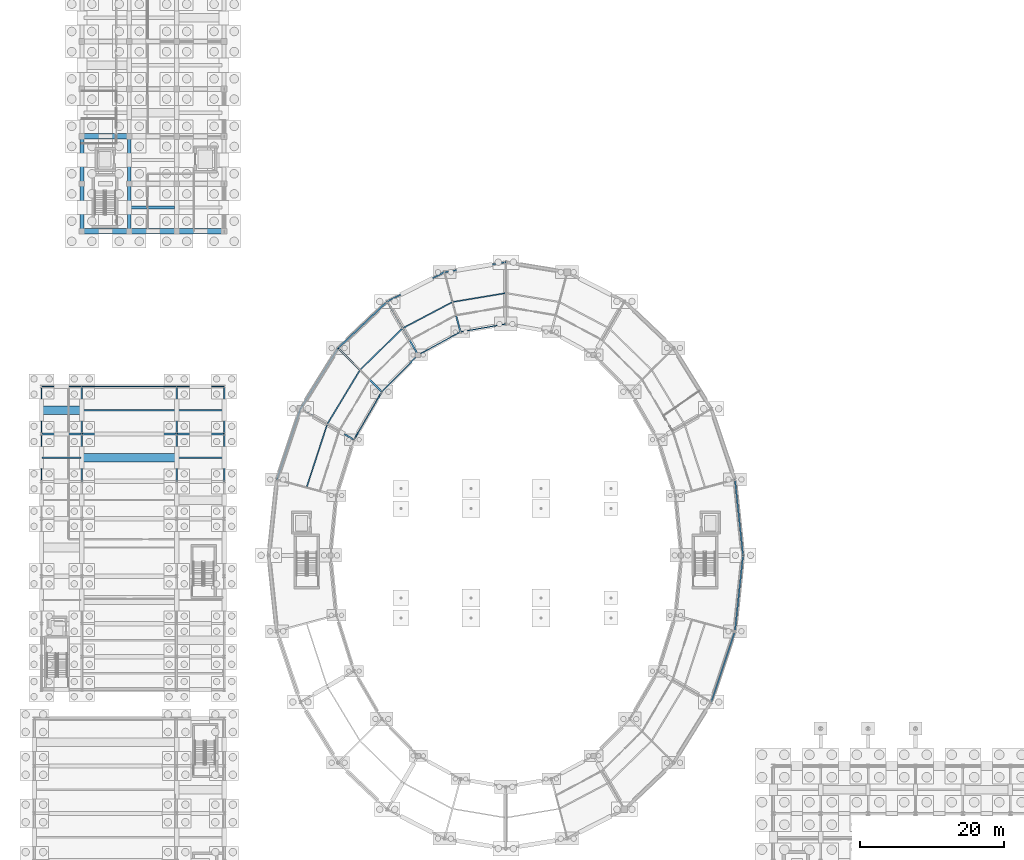
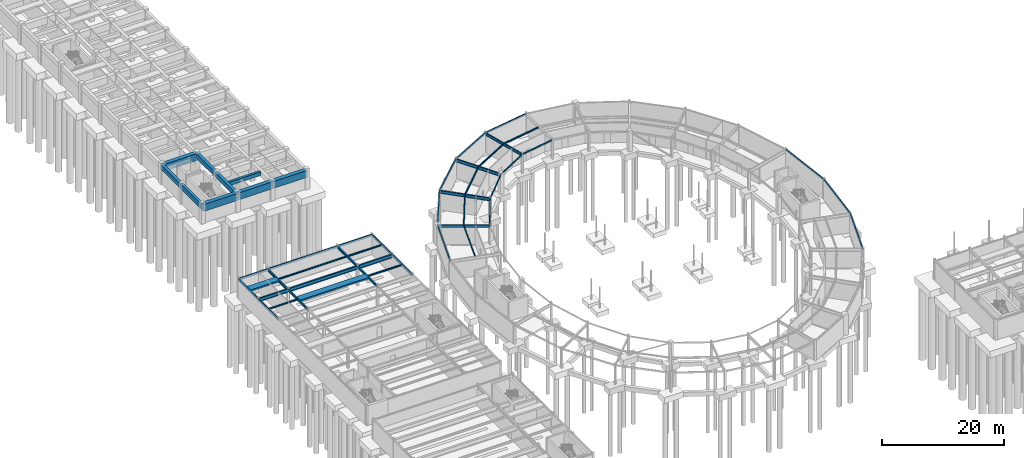
# One storey, part 26 of 58: 50 beams, 1 member.
"""IFC4 building model written with IfcOpenShell, lengths in metres."""

from ifc_helpers import new_model, si_unit, direction, frame, origin, origin_2d, place, context, subcontext, project, spatial, rectangle, hollow_rectangle, hollow_circle, i_section, extrude, material, material_profile, profile_set, type_object, element, save


model = new_model("IFC4")

# Units and contexts
model_context = context("Model", 3, precision=1e-05, world=origin(), true_north=direction((0.0, 1.0)))
body_context = subcontext(model_context, "Body", "Model", "MODEL_VIEW")
ifc_project = project(units=[si_unit("LENGTHUNIT", "METRE"), si_unit("AREAUNIT", "SQUARE_METRE"), si_unit("VOLUMEUNIT", "CUBIC_METRE"), si_unit("PLANEANGLEUNIT", "RADIAN"), si_unit("MASSUNIT", "GRAM", prefix="KILO")], contexts=[model_context])

# Site, building, storey
site_placement = place(None, origin())
site = spatial("IfcSite", under=ifc_project, at=site_placement, CompositionType="ELEMENT")
building_placement = place(site_placement, origin())
building = spatial("IfcBuilding", under=site, at=building_placement, Name="Karori Crest Natural Sciences Institute", CompositionType="ELEMENT")
storey_placement = place(building_placement, frame((0.0, 0.0, -4.199951171875)))
storey = spatial("IfcBuildingStorey", under=building, at=storey_placement, Name="B1", CompositionType="ELEMENT", Elevation=-4.199951171875)

# Beams
ifc_material_1 = material(Name="Structural steel AS/NZS 3679.1 Grade 350", Category="steel")
ifc_material_profile_1 = material_profile(ifc_material_1, i_section(OverallWidth=0.27490234375, OverallDepth=0.699951171875, WebThickness=0.010009765625, FlangeThickness=0.02001953125, FilletRadius=0.013916015625, at=origin_2d()), Name="700WB150")
ifc_profile_set_1 = profile_set([ifc_material_profile_1], Name="Structural steel AS/NZS 3679.1 Grade 350")
beam_type_1 = type_object("IfcBeamType", Name="BT-03", PredefinedType="BEAM", material=ifc_profile_set_1)
beam_1_placement = place(storey_placement, frame((1.800048828125, 66.800048828125, 3.570068359375), z_axis=(1.0, 0.0, 0.0), x_axis=(0.0, 1.0, 0.0)))
element("IfcBeam", 1, at=beam_1_placement, inside=storey, type_object=beam_type_1, Name="Beam B-0888", PredefinedType="BEAM", context=body_context, shape_type="SweptSolid", body=[
    extrude(i_section(OverallWidth=0.27490234375, OverallDepth=0.699951171875, WebThickness=0.010009765625, FlangeThickness=0.02001953125, FilletRadius=0.013916015625, at=origin_2d()), origin(), (0.0, 0.0, 1.0), 5.599853515625),
])
beam_2_placement = place(storey_placement, frame((7.39990234375, 66.800048828125, 3.570068359375), z_axis=(1.0, 0.0, 0.0), x_axis=(0.0, 1.0, 0.0)))
element("IfcBeam", 2, at=beam_2_placement, inside=storey, type_object=beam_type_1, Name="Beam B-0889", PredefinedType="BEAM", context=body_context, shape_type="SweptSolid", body=[
    extrude(i_section(OverallWidth=0.27490234375, OverallDepth=0.699951171875, WebThickness=0.010009765625, FlangeThickness=0.02001953125, FilletRadius=0.013916015625, at=origin_2d()), origin(), (0.0, 0.0, 1.0), 13.2001953125),
])
beam_3_placement = place(storey_placement, frame((20.60009765625, 66.800048828125, 3.570068359375), z_axis=(1.0, 0.0, 0.0), x_axis=(0.0, 1.0, 0.0)))
element("IfcBeam", 3, at=beam_3_placement, inside=storey, type_object=beam_type_1, Name="Beam B-0890", PredefinedType="BEAM", context=body_context, shape_type="SweptSolid", body=[
    extrude(i_section(OverallWidth=0.27490234375, OverallDepth=0.699951171875, WebThickness=0.010009765625, FlangeThickness=0.02001953125, FilletRadius=0.013916015625, at=origin_2d()), origin(), (0.0, 0.0, 1.0), 6.599853515625),
])
ifc_material_profile_2 = material_profile(ifc_material_1, i_section(OverallWidth=0.22900390625, OverallDepth=0.612060546875, WebThickness=0.011962890625, FlangeThickness=0.01953125, FilletRadius=0.013916015625, at=origin_2d()), Name="610UB125")
ifc_profile_set_2 = profile_set([ifc_material_profile_2], Name="Structural steel AS/NZS 3679.1 Grade 350")
beam_type_2 = type_object("IfcBeamType", Name="BT-04", PredefinedType="BEAM", material=ifc_profile_set_2)
beam_4_placement = place(storey_placement, frame((54.199951171875, 77.785888671875, 3.634033203125), z_axis=(-0.499995216735, 0.866028165386, 0.0), x_axis=(-0.866028165386, -0.499995216735, 0.0)))
element("IfcBeam", 4, at=beam_4_placement, inside=storey, type_object=beam_type_2, Name="Beam B-0033", PredefinedType="BEAM", context=body_context, shape_type="SweptSolid", body=[
    extrude(i_section(OverallWidth=0.22900390625, OverallDepth=0.612060546875, WebThickness=0.011962890625, FlangeThickness=0.01953125, FilletRadius=0.013916015625, at=origin_2d()), origin(), (0.0, 0.0, 1.0), 8.60009765625),
])
ifc_material_profile_3 = material_profile(ifc_material_1, i_section(OverallWidth=0.208984375, OverallDepth=0.532958984375, WebThickness=0.01025390625, FlangeThickness=0.015625, FilletRadius=0.013916015625, at=origin_2d()), Name="530UB92.4")
ifc_profile_set_3 = profile_set([ifc_material_profile_3], Name="Structural steel AS/NZS 3679.1 Grade 350")
beam_type_3 = type_object("IfcBeamType", Name="BT-05", PredefinedType="BEAM", material=ifc_profile_set_3)
beam_5_placement = place(storey_placement, frame((60.084716796875, 81.002685546875, 3.67333984375), z_axis=(-0.258812709002, 0.96592752402, 0.0), x_axis=(-0.96592752402, -0.258812709002, 0.0)))
element("IfcBeam", 5, at=beam_5_placement, inside=storey, type_object=beam_type_3, Name="Beam B-0029", PredefinedType="BEAM", context=body_context, shape_type="SweptSolid", body=[
    extrude(i_section(OverallWidth=0.208984375, OverallDepth=0.532958984375, WebThickness=0.01025390625, FlangeThickness=0.015625, FilletRadius=0.013916015625, at=origin_2d()), origin(), (0.0, 0.0, 1.0), 8.60009765625),
])
beam_6_placement = place(storey_placement, frame((45.26904296875, 66.0, 3.67333984375), z_axis=(-0.866021068297, 0.500007509209, 0.0), x_axis=(-0.500007509209, -0.866021068297, 0.0)))
element("IfcBeam", 6, at=beam_6_placement, inside=storey, type_object=beam_type_3, Name="Beam B-0041", PredefinedType="BEAM", context=body_context, shape_type="SweptSolid", body=[
    extrude(i_section(OverallWidth=0.208984375, OverallDepth=0.532958984375, WebThickness=0.01025390625, FlangeThickness=0.015625, FilletRadius=0.013916015625, at=origin_2d()), origin(), (0.0, 0.0, 1.0), 8.599853515625),
])
ifc_material_profile_4 = material_profile(ifc_material_1, i_section(OverallWidth=0.19091796875, OverallDepth=0.4599609375, WebThickness=0.010009765625, FlangeThickness=0.01611328125, FilletRadius=0.010986328125, at=origin_2d()), Name="460UB82.1")
ifc_profile_set_4 = profile_set([ifc_material_profile_4], Name="Structural steel AS/NZS 3679.1 Grade 350")
beam_type_4 = type_object("IfcBeamType", Name="BT-06", PredefinedType="BEAM", material=ifc_profile_set_4)
beam_7_placement = place(storey_placement, frame((7.39990234375, 60.199951171875, 3.68994140625), z_axis=(0.0, 1.0, 0.0), x_axis=(-1.0, 0.0, 0.0)))
element("IfcBeam", 7, at=beam_7_placement, inside=storey, type_object=beam_type_4, Name="Beam B-0906", PredefinedType="BEAM", context=body_context, shape_type="SweptSolid", body=[
    extrude(i_section(OverallWidth=0.19091796875, OverallDepth=0.4599609375, WebThickness=0.010009765625, FlangeThickness=0.01611328125, FilletRadius=0.010986328125, at=origin_2d()), origin(), (0.0, 0.0, 1.0), 6.60009765625),
])
beam_8_placement = place(storey_placement, frame((7.39990234375, 66.800048828125, 3.68994140625), z_axis=(0.0, 1.0, 0.0), x_axis=(-1.0, 0.0, 0.0)))
element("IfcBeam", 8, at=beam_8_placement, inside=storey, type_object=beam_type_4, Name="Beam B-0907", PredefinedType="BEAM", context=body_context, shape_type="SweptSolid", body=[
    extrude(i_section(OverallWidth=0.19091796875, OverallDepth=0.4599609375, WebThickness=0.010009765625, FlangeThickness=0.01611328125, FilletRadius=0.010986328125, at=origin_2d()), origin(), (0.0, 0.0, 1.0), 6.599853515625),
])
beam_9_placement = place(storey_placement, frame((20.60009765625, 60.199951171875, 3.68994140625), z_axis=(0.0, 1.0, 0.0), x_axis=(-1.0, 0.0, 0.0)))
element("IfcBeam", 9, at=beam_9_placement, inside=storey, type_object=beam_type_4, Name="Beam B-0913", PredefinedType="BEAM", context=body_context, shape_type="SweptSolid", body=[
    extrude(i_section(OverallWidth=0.19091796875, OverallDepth=0.4599609375, WebThickness=0.010009765625, FlangeThickness=0.01611328125, FilletRadius=0.010986328125, at=origin_2d()), origin(), (0.0, 0.0, 1.0), 6.60009765625),
])
beam_10_placement = place(storey_placement, frame((20.60009765625, 66.800048828125, 3.68994140625), z_axis=(0.0, 1.0, 0.0), x_axis=(-1.0, 0.0, 0.0)))
element("IfcBeam", 10, at=beam_10_placement, inside=storey, type_object=beam_type_4, Name="Beam B-0914", PredefinedType="BEAM", context=body_context, shape_type="SweptSolid", body=[
    extrude(i_section(OverallWidth=0.19091796875, OverallDepth=0.4599609375, WebThickness=0.010009765625, FlangeThickness=0.01611328125, FilletRadius=0.010986328125, at=origin_2d()), origin(), (0.0, 0.0, 1.0), 6.599853515625),
])
ifc_material_profile_5 = material_profile(ifc_material_1, i_section(OverallWidth=0.19091796875, OverallDepth=0.4599609375, WebThickness=0.010009765625, FlangeThickness=0.01611328125, FilletRadius=0.010986328125, at=origin_2d()), Name="460UB82.1")
ifc_profile_set_5 = profile_set([ifc_material_profile_5], Name="Structural steel AS/NZS 3679.1 Grade 350")
beam_type_5 = type_object("IfcBeamType", Name="BT-06-EL", PredefinedType="BEAM", material=ifc_profile_set_5)
beam_11_placement = place(storey_placement, frame((1.800048828125, 60.199951171875, 3.68994140625), z_axis=(0.0, 1.0, 0.0), x_axis=(-1.0, 0.0, 0.0)))
element("IfcBeam", 11, at=beam_11_placement, inside=storey, type_object=beam_type_5, Name="Beam B-0899", PredefinedType="BEAM", context=body_context, shape_type="SweptSolid", body=[
    extrude(i_section(OverallWidth=0.19091796875, OverallDepth=0.4599609375, WebThickness=0.010009765625, FlangeThickness=0.01611328125, FilletRadius=0.010986328125, at=origin_2d()), origin(), (0.0, 0.0, 1.0), 6.60009765625),
])
beam_12_placement = place(storey_placement, frame((1.800048828125, 66.800048828125, 3.68994140625), z_axis=(0.0, 1.0, 0.0), x_axis=(-1.0, 0.0, 0.0)))
element("IfcBeam", 12, at=beam_12_placement, inside=storey, type_object=beam_type_5, Name="Beam B-0900", PredefinedType="BEAM", context=body_context, shape_type="SweptSolid", body=[
    extrude(i_section(OverallWidth=0.19091796875, OverallDepth=0.4599609375, WebThickness=0.010009765625, FlangeThickness=0.01611328125, FilletRadius=0.010986328125, at=origin_2d()), origin(), (0.0, 0.0, 1.0), 6.599853515625),
])
beam_13_placement = place(storey_placement, frame((27.199951171875, 60.199951171875, 3.68994140625), z_axis=(0.0, 1.0, 0.0), x_axis=(-1.0, 0.0, 0.0)))
element("IfcBeam", 13, at=beam_13_placement, inside=storey, type_object=beam_type_5, Name="Beam B-0920", PredefinedType="BEAM", context=body_context, shape_type="SweptSolid", body=[
    extrude(i_section(OverallWidth=0.19091796875, OverallDepth=0.4599609375, WebThickness=0.010009765625, FlangeThickness=0.01611328125, FilletRadius=0.010986328125, at=origin_2d()), origin(), (0.0, 0.0, 1.0), 6.60009765625),
])
beam_14_placement = place(storey_placement, frame((27.199951171875, 66.800048828125, 3.68994140625), z_axis=(0.0, 1.0, 0.0), x_axis=(-1.0, 0.0, 0.0)))
element("IfcBeam", 14, at=beam_14_placement, inside=storey, type_object=beam_type_5, Name="Beam B-0921", PredefinedType="BEAM", context=body_context, shape_type="SweptSolid", body=[
    extrude(i_section(OverallWidth=0.19091796875, OverallDepth=0.4599609375, WebThickness=0.010009765625, FlangeThickness=0.01611328125, FilletRadius=0.010986328125, at=origin_2d()), origin(), (0.0, 0.0, 1.0), 6.599853515625),
])
ifc_material_profile_6 = material_profile(ifc_material_1, i_section(OverallWidth=0.166015625, OverallDepth=0.306884765625, WebThickness=0.006591796875, FlangeThickness=0.01171875, FilletRadius=0.010986328125, at=origin_2d()), Name="310UB46.2")
ifc_profile_set_6 = profile_set([ifc_material_profile_6], Name="Structural steel AS/NZS 3679.1 Grade 350")
beam_type_6 = type_object("IfcBeamType", Name="BT-09", PredefinedType="BEAM", material=ifc_profile_set_6)
beam_15_placement = place(storey_placement, frame((58.86572265625, 85.100341796875, 3.786376953125), z_axis=(-0.884748465601, -0.466068828197, 0.0), x_axis=(0.466068828197, -0.884748465601, 0.0)))
element("IfcBeam", 15, at=beam_15_placement, inside=storey, type_object=beam_type_6, Name="Beam B-0030", PredefinedType="BEAM", context=body_context, shape_type="SweptSolid", body=[
    extrude(i_section(OverallWidth=0.166015625, OverallDepth=0.306884765625, WebThickness=0.006591796875, FlangeThickness=0.01171875, FilletRadius=0.010986328125, at=origin_2d()), origin(), (0.0, 0.0, 1.0), 7.58349609375),
])
beam_16_placement = place(storey_placement, frame((1.8955078125, 63.5, 3.766357421875), z_axis=(1.0, 0.0, 0.0), x_axis=(0.0, 1.0, 0.0)))
element("IfcBeam", 16, at=beam_16_placement, inside=storey, type_object=beam_type_6, Name="Beam B-0925", PredefinedType="BEAM", context=body_context, shape_type="SweptSolid", body=[
    extrude(i_section(OverallWidth=0.166015625, OverallDepth=0.306884765625, WebThickness=0.006591796875, FlangeThickness=0.01171875, FilletRadius=0.010986328125, at=origin_2d()), origin(), (0.0, 0.0, 1.0), 5.408935546875),
])
beam_17_placement = place(storey_placement, frame((7.49560546875, 70.10009765625, 3.766357421875), z_axis=(1.0, 0.0, 0.0), x_axis=(0.0, 1.0, 0.0)))
element("IfcBeam", 17, at=beam_17_placement, inside=storey, type_object=beam_type_6, Name="Beam B-0933", PredefinedType="BEAM", context=body_context, shape_type="SweptSolid", body=[
    extrude(i_section(OverallWidth=0.166015625, OverallDepth=0.306884765625, WebThickness=0.006591796875, FlangeThickness=0.01171875, FilletRadius=0.010986328125, at=origin_2d()), origin(), (0.0, 0.0, 1.0), 13.0087890625),
])
for number, where, z_axis, x_axis, name in (
    (18, (20.695556640625, 63.5, 3.766357421875), (1.0, 0.0, 0.0), (0.0, 1.0, 0.0), "Beam B-0938"),
    (19, (20.695556640625, 70.10009765625, 3.766357421875), (1.0, 0.0, 0.0), (0.0, 1.0, 0.0), "Beam B-0939"),
):
    element("IfcBeam", number, at=place(storey_placement, frame(where, z_axis=z_axis, x_axis=x_axis)), inside=storey, type_object=beam_type_6, Name=name, PredefinedType="BEAM", context=body_context, shape_type="SweptSolid", body=[
        extrude(i_section(OverallWidth=0.166015625, OverallDepth=0.306884765625, WebThickness=0.006591796875, FlangeThickness=0.01171875, FilletRadius=0.010986328125, at=origin_2d()), origin(), (0.0, 0.0, 1.0), 6.408935546875),
    ])
ifc_material_profile_7 = material_profile(ifc_material_1, i_section(OverallWidth=0.1650390625, OverallDepth=0.303955078125, WebThickness=0.006103515625, FlangeThickness=0.01025390625, FilletRadius=0.010986328125, at=origin_2d()), Name="310UB40.4")
ifc_profile_set_7 = profile_set([ifc_material_profile_7], Name="Structural steel AS/NZS 3679.1 Grade 350")
beam_type_7 = type_object("IfcBeamType", Name="BT-10", PredefinedType="BEAM", material=ifc_profile_set_7)
beam_18_placement = place(storey_placement, frame((66.281494140625, 86.380126953125, 3.787841796875), z_axis=(-0.98626966223, -0.165142827164, 0.0), x_axis=(0.165142827164, -0.98626966223, 0.0)))
element("IfcBeam", 20, at=beam_18_placement, inside=storey, type_object=beam_type_7, Name="Beam B-0026", PredefinedType="BEAM", context=body_context, shape_type="SweptSolid", body=[
    extrude(i_section(OverallWidth=0.1650390625, OverallDepth=0.303955078125, WebThickness=0.006103515625, FlangeThickness=0.01025390625, FilletRadius=0.010986328125, at=origin_2d()), origin(), (0.0, 0.0, 1.0), 7.291259765625),
])
beam_19_placement = place(storey_placement, frame((41.5078125, 68.035888671875, 3.787841796875), z_axis=(-0.309674277679, -0.950842700842, 0.0), x_axis=(0.950842700842, -0.309674277679, 0.0)))
element("IfcBeam", 21, at=beam_19_placement, inside=storey, type_object=beam_type_7, Name="Beam B-0042", PredefinedType="BEAM", context=body_context, shape_type="SweptSolid", body=[
    extrude(i_section(OverallWidth=0.1650390625, OverallDepth=0.303955078125, WebThickness=0.006103515625, FlangeThickness=0.01025390625, FilletRadius=0.010986328125, at=origin_2d()), origin(), (0.0, 0.0, 1.0), 9.018310546875),
])
ifc_material_2 = material(Name="Hollow structural steel AS/NZS 1163 Grade C350", Category="steel")
ifc_material_profile_8 = material_profile(ifc_material_2, hollow_rectangle(XDim=0.199951171875, YDim=0.39990234375, WallThickness=0.012451171875, at=origin_2d()), Name="RHS400x200x12.5")
ifc_profile_set_8 = profile_set([ifc_material_profile_8], Name="Hollow structural steel AS/NZS 1163 Grade C350")
beam_type_8 = type_object("IfcBeamType", Name="BT-14", PredefinedType="SPANDREL", material=ifc_profile_set_8)
beam_20_placement = place(storey_placement, frame((1.800048828125, 73.39990234375, 3.719970703125), z_axis=(1.0, 0.0, 0.0), x_axis=(0.0, 1.0, 0.0)))
element("IfcBeam", 22, at=beam_20_placement, inside=storey, type_object=beam_type_8, Name="Beam B-0891", PredefinedType="SPANDREL", context=body_context, shape_type="SweptSolid", body=[
    extrude(hollow_rectangle(XDim=0.199951171875, YDim=0.39990234375, WallThickness=0.012451171875, at=origin_2d()), origin(), (0.0, 0.0, 1.0), 5.599853515625),
])
beam_21_placement = place(storey_placement, frame((7.39990234375, 73.39990234375, 3.719970703125), z_axis=(1.0, 0.0, 0.0), x_axis=(0.0, 1.0, 0.0)))
element("IfcBeam", 23, at=beam_21_placement, inside=storey, type_object=beam_type_8, Name="Beam B-0892", PredefinedType="SPANDREL", context=body_context, shape_type="SweptSolid", body=[
    extrude(hollow_rectangle(XDim=0.199951171875, YDim=0.39990234375, WallThickness=0.012451171875, at=origin_2d()), origin(), (0.0, 0.0, 1.0), 13.2001953125),
])
beam_22_placement = place(storey_placement, frame((20.60009765625, 73.39990234375, 3.719970703125), z_axis=(1.0, 0.0, 0.0), x_axis=(0.0, 1.0, 0.0)))
element("IfcBeam", 24, at=beam_22_placement, inside=storey, type_object=beam_type_8, Name="Beam B-0893", PredefinedType="SPANDREL", context=body_context, shape_type="SweptSolid", body=[
    extrude(hollow_rectangle(XDim=0.199951171875, YDim=0.39990234375, WallThickness=0.012451171875, at=origin_2d()), origin(), (0.0, 0.0, 1.0), 6.599853515625),
])
ifc_material_profile_9 = material_profile(ifc_material_2, hollow_rectangle(XDim=0.199951171875, YDim=0.300048828125, WallThickness=0.010009765625, at=origin_2d()), Name="RHS300x200x10")
ifc_profile_set_9 = profile_set([ifc_material_profile_9], Name="Hollow structural steel AS/NZS 1163 Grade C350")
beam_type_9 = type_object("IfcBeamType", Name="BT-15", PredefinedType="SPANDREL", material=ifc_profile_set_9)
beam_23_placement = place(storey_placement, frame((99.39990234375, 49.89990234375, 3.7900390625), z_axis=(-0.105868278464, 0.994380162521, 0.0), x_axis=(-0.994380162521, -0.105868278464, 0.0)))
element("IfcBeam", 25, at=beam_23_placement, inside=storey, type_object=beam_type_9, Name="Beam B-0001", PredefinedType="SPANDREL", context=body_context, shape_type="SweptSolid", body=[
    extrude(hollow_rectangle(XDim=0.199951171875, YDim=0.300048828125, WallThickness=0.010009765625, at=origin_2d()), origin(), (0.0, 0.0, 1.0), 10.619384765625),
])
beam_24_placement = place(storey_placement, frame((66.39990234375, 90.699951171875, 3.7900390625), z_axis=(-0.987012055933, -0.160646199591, 0.0), x_axis=(0.160646199591, -0.987012055933, 0.0)))
element("IfcBeam", 26, at=beam_24_placement, inside=storey, type_object=beam_type_9, Name="Beam B-0023", PredefinedType="SPANDREL", context=body_context, shape_type="SweptSolid", body=[
    extrude(hollow_rectangle(XDim=0.199951171875, YDim=0.300048828125, WallThickness=0.010009765625, at=origin_2d()), origin(), (0.0, 0.0, 1.0), 8.6533203125),
])
beam_25_placement = place(storey_placement, frame((57.85888671875, 89.309814453125, 3.7900390625), z_axis=(-0.890071733872, -0.455820478436, 0.0), x_axis=(0.455820478436, -0.890071733872, 0.0)))
element("IfcBeam", 27, at=beam_25_placement, inside=storey, type_object=beam_type_9, Name="Beam B-0027", PredefinedType="SPANDREL", context=body_context, shape_type="SweptSolid", body=[
    extrude(hollow_rectangle(XDim=0.199951171875, YDim=0.300048828125, WallThickness=0.010009765625, at=origin_2d()), origin(), (0.0, 0.0, 1.0), 8.94189453125),
])
beam_26_placement = place(storey_placement, frame((49.89990234375, 85.23388671875, 3.7900390625), z_axis=(-0.72546900706, -0.688254836376, 0.0), x_axis=(0.688254836376, -0.72546900706, 0.0)))
element("IfcBeam", 28, at=beam_26_placement, inside=storey, type_object=beam_type_9, Name="Beam B-0031", PredefinedType="SPANDREL", context=body_context, shape_type="SweptSolid", body=[
    extrude(hollow_rectangle(XDim=0.199951171875, YDim=0.300048828125, WallThickness=0.010009765625, at=origin_2d()), origin(), (0.0, 0.0, 1.0), 9.420654296875),
])
beam_27_placement = place(storey_placement, frame((43.0654296875, 78.75, 3.7900390625), z_axis=(-0.527315195609, -0.849669750244, 0.0), x_axis=(0.849669750244, -0.527315195609, 0.0)))
element("IfcBeam", 29, at=beam_27_placement, inside=storey, type_object=beam_type_9, Name="Beam B-0035", PredefinedType="SPANDREL", context=body_context, shape_type="SweptSolid", body=[
    extrude(hollow_rectangle(XDim=0.199951171875, YDim=0.300048828125, WallThickness=0.010009765625, at=origin_2d()), origin(), (0.0, 0.0, 1.0), 9.945068359375),
])
beam_28_placement = place(storey_placement, frame((37.8212890625, 70.300048828125, 3.7900390625), z_axis=(-0.317681238028, -0.948197569605, 0.0), x_axis=(0.948197569605, -0.317681238028, 0.0)))
element("IfcBeam", 30, at=beam_28_placement, inside=storey, type_object=beam_type_9, Name="Beam B-0039", PredefinedType="SPANDREL", context=body_context, shape_type="SweptSolid", body=[
    extrude(hollow_rectangle(XDim=0.199951171875, YDim=0.300048828125, WallThickness=0.010009765625, at=origin_2d()), origin(), (0.0, 0.0, 1.0), 10.3779296875),
])
beam_29_placement = place(storey_placement, frame((94.978759765625, 29.5, 3.7900390625), z_axis=(0.317688324477, 0.948195195353, 0.0), x_axis=(-0.948195195353, 0.317688324477, 0.0)))
element("IfcBeam", 31, at=beam_29_placement, inside=storey, type_object=beam_type_9, Name="Beam B-0084", PredefinedType="SPANDREL", context=body_context, shape_type="SweptSolid", body=[
    extrude(hollow_rectangle(XDim=0.199951171875, YDim=0.300048828125, WallThickness=0.010009765625, at=origin_2d()), origin(), (0.0, 0.0, 1.0), 10.377685546875),
])
beam_30_placement = place(storey_placement, frame((98.275634765625, 39.340087890625, 3.7900390625), z_axis=(0.105868278464, 0.994380162521, 0.0), x_axis=(-0.994380162521, 0.105868278464, 0.0)))
element("IfcBeam", 32, at=beam_30_placement, inside=storey, type_object=beam_type_9, Name="Beam B-0088", PredefinedType="SPANDREL", context=body_context, shape_type="SweptSolid", body=[
    extrude(hollow_rectangle(XDim=0.199951171875, YDim=0.300048828125, WallThickness=0.010009765625, at=origin_2d()), origin(), (0.0, 0.0, 1.0), 10.619384765625),
])
ifc_material_profile_10 = material_profile(ifc_material_2, hollow_rectangle(XDim=0.14990234375, YDim=0.25, WallThickness=0.009033203125, at=origin_2d()), Name="RHS250x150x9")
ifc_profile_set_10 = profile_set([ifc_material_profile_10], Name="Hollow structural steel AS/NZS 1163 Grade C350")
beam_type_10 = type_object("IfcBeamType", Name="BT-16", PredefinedType="SPANDREL", material=ifc_profile_set_10)
beam_31_placement = place(storey_placement, frame((66.39990234375, 82.10009765625, 3.7900390625), z_axis=(-0.985234948316, -0.171207758638, 0.0), x_axis=(0.171207758638, -0.985234948316, 0.0)))
element("IfcBeam", 33, at=beam_31_placement, inside=storey, type_object=beam_type_10, Name="Beam B-0024", PredefinedType="SPANDREL", context=body_context, shape_type="SweptSolid", body=[
    extrude(hollow_rectangle(XDim=0.14990234375, YDim=0.25, WallThickness=0.009033203125, at=origin_2d()), origin(), (0.0, 0.0, 1.0), 6.409912109375),
])
beam_32_placement = place(storey_placement, frame((60.084716796875, 81.002685546875, 3.7900390625), z_axis=(-0.877461157042, -0.479647701842, 0.0), x_axis=(0.479647701842, -0.877461157042, 0.0)))
element("IfcBeam", 34, at=beam_32_placement, inside=storey, type_object=beam_type_10, Name="Beam B-0028", PredefinedType="SPANDREL", context=body_context, shape_type="SweptSolid", body=[
    extrude(hollow_rectangle(XDim=0.14990234375, YDim=0.25, WallThickness=0.009033203125, at=origin_2d()), origin(), (0.0, 0.0, 1.0), 6.70654296875),
])
beam_33_placement = place(storey_placement, frame((54.199951171875, 77.785888671875, 3.7900390625), z_axis=(-0.70266285879, -0.711522948946, 0.0), x_axis=(0.711522948946, -0.70266285879, 0.0)))
element("IfcBeam", 35, at=beam_33_placement, inside=storey, type_object=beam_type_10, Name="Beam B-0032", PredefinedType="SPANDREL", context=body_context, shape_type="SweptSolid", body=[
    extrude(hollow_rectangle(XDim=0.14990234375, YDim=0.25, WallThickness=0.009033203125, at=origin_2d()), origin(), (0.0, 0.0, 1.0), 7.19189453125),
])
beam_34_placement = place(storey_placement, frame((49.146484375, 72.668701171875, 3.7900390625), z_axis=(-0.502648511326, -0.864490875638, 0.0), x_axis=(0.864490875638, -0.502648511326, 0.0)))
element("IfcBeam", 36, at=beam_34_placement, inside=storey, type_object=beam_type_10, Name="Beam B-0036", PredefinedType="SPANDREL", context=body_context, shape_type="SweptSolid", body=[
    extrude(hollow_rectangle(XDim=0.14990234375, YDim=0.25, WallThickness=0.009033203125, at=origin_2d()), origin(), (0.0, 0.0, 1.0), 7.714111328125),
])
ifc_material_3 = material(Name="Concrete 50 MPa", Category="concrete")
ifc_material_profile_11 = material_profile(ifc_material_3, rectangle(XDim=0.75, YDim=1.39990234375, at=origin_2d()), Name="RCB750x1400")
ifc_profile_set_11 = profile_set([ifc_material_profile_11], Name="Concrete 50 MPa")
beam_type_11 = type_object("IfcBeamType", Name="BT-17", PredefinedType="BEAM", material=ifc_profile_set_11)
for number, where, z_axis, x_axis, name in (
    (37, (7.39990234375, 95.0, 3.14990234375), (1.0, 0.0, 0.0), (0.0, 1.0, 0.0), "Beam B-1250"),
    (38, (14.0, 95.0, 3.14990234375), (1.0, 0.0, 0.0), (0.0, 1.0, 0.0), "Beam B-1251"),
):
    element("IfcBeam", number, at=place(storey_placement, frame(where, z_axis=z_axis, x_axis=x_axis)), inside=storey, type_object=beam_type_11, Name=name, PredefinedType="BEAM", context=body_context, shape_type="SweptSolid", body=[
        extrude(rectangle(XDim=0.75, YDim=1.39990234375, at=origin_2d()), origin(), (0.0, 0.0, 1.0), 6.60009765625),
    ])
beam_35_placement = place(storey_placement, frame((20.60009765625, 95.0, 3.14990234375), z_axis=(1.0, 0.0, 0.0), x_axis=(0.0, 1.0, 0.0)))
element("IfcBeam", 39, at=beam_35_placement, inside=storey, type_object=beam_type_11, Name="Beam B-1252", PredefinedType="BEAM", context=body_context, shape_type="SweptSolid", body=[
    extrude(rectangle(XDim=0.75, YDim=1.39990234375, at=origin_2d()), origin(), (0.0, 0.0, 1.0), 6.599853515625),
])
ifc_material_profile_12 = material_profile(ifc_material_3, rectangle(XDim=0.75, YDim=1.39990234375, at=origin_2d()), Name="RCB750x1400")
ifc_profile_set_12 = profile_set([ifc_material_profile_12], Name="Concrete 50 MPa")
beam_type_12 = type_object("IfcBeamType", Name="BT-17-IL", PredefinedType="BEAM", material=ifc_profile_set_12)
beam_36_placement = place(storey_placement, frame((7.39990234375, 108.199951171875, 3.14990234375), z_axis=(1.0, 0.0, 0.0), x_axis=(0.0, 1.0, 0.0)))
element("IfcBeam", 40, at=beam_36_placement, inside=storey, type_object=beam_type_12, Name="Beam B-1255", PredefinedType="BEAM", context=body_context, shape_type="SweptSolid", body=[
    extrude(rectangle(XDim=0.75, YDim=1.39990234375, at=origin_2d()), origin(), (0.0, 0.0, 1.0), 6.60009765625),
])
ifc_material_4 = material(Name="Concrete 40 MPa", Category="concrete")
ifc_material_profile_13 = material_profile(ifc_material_4, rectangle(XDim=1.199951171875, YDim=0.300048828125, at=origin_2d()), Name="HCP1200x300")
ifc_profile_set_13 = profile_set([ifc_material_profile_13], Name="Concrete 40 MPa")
beam_type_13 = type_object("IfcBeamType", Name="BT-25", PredefinedType="HOLLOWCORE", material=ifc_profile_set_13)
beam_37_placement = place(storey_placement, frame((1.8955078125, 70.10009765625, 3.77001953125), z_axis=(1.0, 0.0, 0.0), x_axis=(0.0, 1.0, 0.0)))
element("IfcBeam", 41, at=beam_37_placement, inside=storey, type_object=beam_type_13, Name="Beam B-0926", PredefinedType="HOLLOWCORE", context=body_context, shape_type="SweptSolid", body=[
    extrude(rectangle(XDim=1.199951171875, YDim=0.300048828125, at=origin_2d()), origin(), (0.0, 0.0, 1.0), 5.408935546875),
])
beam_38_placement = place(storey_placement, frame((7.49560546875, 63.5, 3.77001953125), z_axis=(1.0, 0.0, 0.0), x_axis=(0.0, 1.0, 0.0)))
element("IfcBeam", 42, at=beam_38_placement, inside=storey, type_object=beam_type_13, Name="Beam B-0932", PredefinedType="HOLLOWCORE", context=body_context, shape_type="SweptSolid", body=[
    extrude(rectangle(XDim=1.199951171875, YDim=0.300048828125, at=origin_2d()), origin(), (0.0, 0.0, 1.0), 13.0087890625),
])
ifc_material_profile_14 = material_profile(ifc_material_1, i_section(OverallWidth=0.22802734375, OverallDepth=0.60205078125, WebThickness=0.010498046875, FlangeThickness=0.014892578125, FilletRadius=0.013916015625, at=origin_2d()), Name="610UB101")
ifc_profile_set_14 = profile_set([ifc_material_profile_14], Name="Structural steel AS/NZS 3679.1 Grade 350")
beam_type_14 = type_object("IfcBeamType", Name="BT-27", PredefinedType="BEAM", material=ifc_profile_set_14)
beam_39_placement = place(storey_placement, frame((49.146484375, 72.668701171875, 3.638916015625), z_axis=(-0.707092586958, 0.70712097513, 0.0), x_axis=(-0.70712097513, -0.707092586958, 0.0)))
element("IfcBeam", 43, at=beam_39_placement, inside=storey, type_object=beam_type_14, Name="Beam B-0037", PredefinedType="BEAM", context=body_context, shape_type="SweptSolid", body=[
    extrude(i_section(OverallWidth=0.22802734375, OverallDepth=0.60205078125, WebThickness=0.010498046875, FlangeThickness=0.014892578125, FilletRadius=0.013916015625, at=origin_2d()), origin(), (0.0, 0.0, 1.0), 8.60009765625),
])
ifc_material_profile_15 = material_profile(ifc_material_1, i_section(OverallWidth=0.177978515625, OverallDepth=0.403076171875, WebThickness=0.007568359375, FlangeThickness=0.010986328125, FilletRadius=0.010986328125, at=origin_2d()), Name="410UB53.7")
ifc_profile_set_15 = profile_set([ifc_material_profile_15], Name="Structural steel AS/NZS 3679.1 Grade 350")
beam_type_15 = type_object("IfcBeamType", Name="BT-29", PredefinedType="BEAM", material=ifc_profile_set_15)
beam_40_placement = place(storey_placement, frame((51.964111328125, 81.426025390625, 3.738525390625), z_axis=(-0.715696324431, -0.698411605857, 0.0), x_axis=(0.698411605857, -0.715696324431, 0.0)))
element("IfcBeam", 44, at=beam_40_placement, inside=storey, type_object=beam_type_15, Name="Beam B-0034", PredefinedType="BEAM", context=body_context, shape_type="SweptSolid", body=[
    extrude(i_section(OverallWidth=0.177978515625, OverallDepth=0.403076171875, WebThickness=0.007568359375, FlangeThickness=0.010986328125, FilletRadius=0.010986328125, at=origin_2d()), origin(), (0.0, 0.0, 1.0), 8.065185546875),
])
ifc_material_profile_16 = material_profile(ifc_material_1, i_section(OverallWidth=0.1708984375, OverallDepth=0.35595703125, WebThickness=0.00732421875, FlangeThickness=0.011474609375, FilletRadius=0.010986328125, at=origin_2d()), Name="360UB50.7")
ifc_profile_set_16 = profile_set([ifc_material_profile_16], Name="Structural steel AS/NZS 3679.1 Grade 350")
beam_type_16 = type_object("IfcBeamType", Name="BT-30", PredefinedType="BEAM", material=ifc_profile_set_16)
beam_41_placement = place(storey_placement, frame((46.044189453125, 75.606689453125, 3.761962890625), z_axis=(-0.516601017309, -0.856226248672, 0.0), x_axis=(0.856226248672, -0.516601017309, 0.0)))
element("IfcBeam", 45, at=beam_41_placement, inside=storey, type_object=beam_type_16, Name="Beam B-0038", PredefinedType="BEAM", context=body_context, shape_type="SweptSolid", body=[
    extrude(i_section(OverallWidth=0.1708984375, OverallDepth=0.35595703125, WebThickness=0.00732421875, FlangeThickness=0.011474609375, FilletRadius=0.010986328125, at=origin_2d()), origin(), (0.0, 0.0, 1.0), 8.5888671875),
])
ifc_material_profile_17 = material_profile(ifc_material_3, rectangle(XDim=0.550048828125, YDim=0.949951171875, at=origin_2d()), Name="RCB550x950")
ifc_profile_set_17 = profile_set([ifc_material_profile_17], Name="Concrete 50 MPa")
beam_type_17 = type_object("IfcBeamType", Name="BT-34", PredefinedType="BEAM", material=ifc_profile_set_17)
beam_42_placement = place(storey_placement, frame((7.39990234375, 95.0, 3.375), z_axis=(0.0, 1.0, 0.0), x_axis=(-1.0, 0.0, 0.0)))
element("IfcBeam", 46, at=beam_42_placement, inside=storey, type_object=beam_type_17, Name="Beam B-1281", PredefinedType="BEAM", context=body_context, shape_type="SweptSolid", body=[
    extrude(rectangle(XDim=0.550048828125, YDim=0.949951171875, at=origin_2d()), origin(), (0.0, 0.0, 1.0), 6.60009765625),
])
beam_43_placement = place(storey_placement, frame((7.39990234375, 101.60009765625, 3.375), z_axis=(0.0, 1.0, 0.0), x_axis=(-1.0, 0.0, 0.0)))
element("IfcBeam", 47, at=beam_43_placement, inside=storey, type_object=beam_type_17, Name="Beam B-1282", PredefinedType="BEAM", context=body_context, shape_type="SweptSolid", body=[
    extrude(rectangle(XDim=0.550048828125, YDim=0.949951171875, at=origin_2d()), origin(), (0.0, 0.0, 1.0), 6.599853515625),
])
ifc_material_profile_18 = material_profile(ifc_material_3, rectangle(XDim=0.550048828125, YDim=0.949951171875, at=origin_2d()), Name="RCB550x950")
ifc_profile_set_18 = profile_set([ifc_material_profile_18], Name="Concrete 50 MPa")
beam_type_18 = type_object("IfcBeamType", Name="BT-34-IL", PredefinedType="BEAM", material=ifc_profile_set_18)
beam_44_placement = place(storey_placement, frame((14.0, 95.0, 3.375), z_axis=(0.0, 1.0, 0.0), x_axis=(-1.0, 0.0, 0.0)))
element("IfcBeam", 48, at=beam_44_placement, inside=storey, type_object=beam_type_18, Name="Beam B-1291", PredefinedType="BEAM", context=body_context, shape_type="SweptSolid", body=[
    extrude(rectangle(XDim=0.550048828125, YDim=0.949951171875, at=origin_2d()), origin(), (0.0, 0.0, 1.0), 6.60009765625),
])
beam_45_placement = place(storey_placement, frame((14.0, 101.60009765625, 3.375), z_axis=(0.0, 1.0, 0.0), x_axis=(-1.0, 0.0, 0.0)))
element("IfcBeam", 49, at=beam_45_placement, inside=storey, type_object=beam_type_18, Name="Beam B-1292", PredefinedType="BEAM", context=body_context, shape_type="SweptSolid", body=[
    extrude(rectangle(XDim=0.550048828125, YDim=0.949951171875, at=origin_2d()), origin(), (0.0, 0.0, 1.0), 6.599853515625),
])
ifc_material_profile_19 = material_profile(ifc_material_3, rectangle(XDim=0.449951171875, YDim=0.75, at=origin_2d()), Name="RCB450x750")
ifc_profile_set_19 = profile_set([ifc_material_profile_19], Name="Concrete 50 MPa")
beam_type_19 = type_object("IfcBeamType", Name="BT-35", PredefinedType="BEAM", material=ifc_profile_set_19)
beam_46_placement = place(storey_placement, frame((14.27490234375, 98.300048828125, 3.474853515625), z_axis=(1.0, 0.0, 0.0), x_axis=(0.0, 1.0, 0.0)))
element("IfcBeam", 50, at=beam_46_placement, inside=storey, type_object=beam_type_19, Name="Beam B-1328", PredefinedType="BEAM", context=body_context, shape_type="SweptSolid", body=[
    extrude(rectangle(XDim=0.449951171875, YDim=0.75, at=origin_2d()), origin(), (0.0, 0.0, 1.0), 6.050048828125),
])

# Member
ifc_material_profile_20 = material_profile(ifc_material_2, hollow_circle(Radius=0.109619140625, WallThickness=0.00830078125, at=origin_2d()), Name="CHS219.1x8.2")
ifc_profile_set_20 = profile_set([ifc_material_profile_20], Name="Hollow structural steel AS/NZS 1163 Grade C350")
member_type = type_object("IfcMemberType", Name="MT-02", PredefinedType="BRACE", material=ifc_profile_set_20)
member_placement = place(storey_placement, frame((48.995849609375, 72.409423828125, 0.25), z_axis=(-0.453518666784, -0.779995134496, 0.431194166289), x_axis=(0.864491234315, -0.502647894447, 0.0)))
element("IfcMember", 51, at=member_placement, inside=storey, type_object=member_type, Name="Diagonal Brace M-0002", PredefinedType="BRACE", context=body_context, shape_type="SweptSolid", body=[
    extrude(hollow_circle(Radius=0.109619140625, WallThickness=0.00830078125, at=origin_2d()), origin(), (0.0, 0.0, 1.0), 7.884765625),
])

save(model, "model.ifc")
